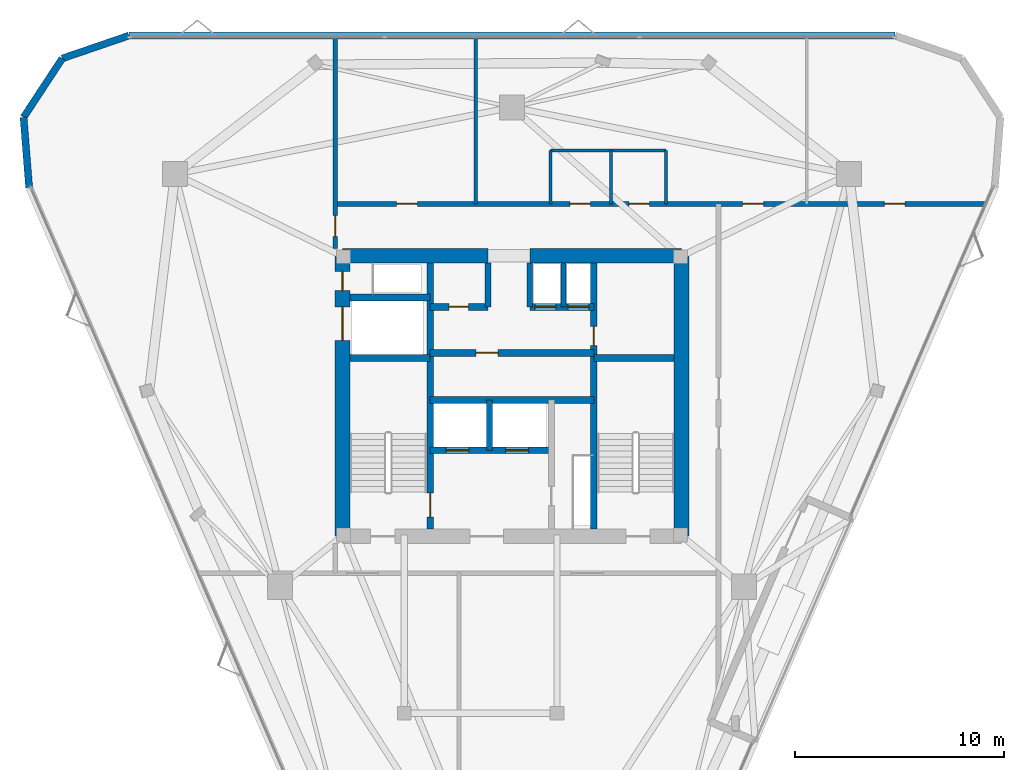
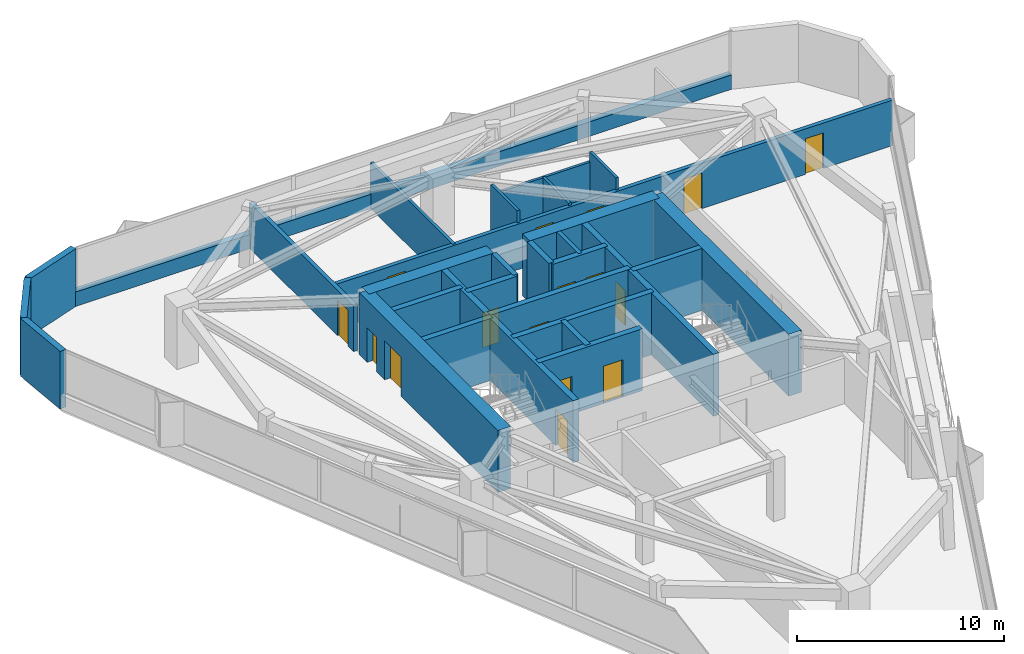
# One storey, part 8 of 10: 29 walls, 16 doors, 16 openings.
"""IFC4 building model written with IfcOpenShell, lengths in metres."""

from ifc_helpers import new_model, si_unit, direction, frame, frame_2d, origin, place, context, subcontext, project, spatial, rectangle, extrude, material, layer, layer_set, type_object, element, fill, save


model = new_model("IFC4")

# Units and contexts
model_context = context("Model", 3, precision=1e-05, world=origin(), true_north=direction((0.0, 1.0)))
body_context = subcontext(model_context, "Body", "Model", "MODEL_VIEW")
ifc_project = project(units=[si_unit("LENGTHUNIT", "METRE"), si_unit("AREAUNIT", "SQUARE_METRE"), si_unit("VOLUMEUNIT", "CUBIC_METRE"), si_unit("PLANEANGLEUNIT", "RADIAN"), si_unit("MASSUNIT", "GRAM", prefix="KILO")], contexts=[model_context])

# Site, building, storey
site_placement = place(None, origin())
site = spatial("IfcSite", under=ifc_project, at=site_placement, CompositionType="ELEMENT")
building_placement = place(site_placement, origin())
building = spatial("IfcBuilding", under=site, at=building_placement, Name="Talyreon Biosciences Tower", CompositionType="ELEMENT")
storey_placement = place(building_placement, frame((0.0, 0.0, 253.5)))
storey = spatial("IfcBuildingStorey", under=building, at=storey_placement, Name="L67", CompositionType="ELEMENT", Elevation=253.5)

# Walls
ifc_material_1 = material(Name="Concrete C50/60", Category="concrete")
ifc_layer_1 = layer(ifc_material_1, 0.219970703125)
ifc_layer_set_1 = layer_set([ifc_layer_1], Name="Concrete C50/60")
wall_type_1 = type_object("IfcWallType", Name="CoreShearWall_220", PredefinedType="SHEAR", material=ifc_layer_set_1)
wall_1_placement = place(storey_placement, frame((68.4599609375, 72.25, 0.0), z_axis=(0.0, 0.0, 1.0), x_axis=(0.0, 1.0, 0.0)))
element("IfcWall", 1, at=wall_1_placement, inside=storey, type_object=wall_type_1, Name="L67 Core Shaft Wall SWPHD", PredefinedType="SHEAR", context=body_context, shape_type="SweptSolid", body=[
    extrude(rectangle(XDim=2.10009765625, YDim=0.219970703125, at=frame_2d((1.050048828125, 0.0))), origin(), (0.0, 0.0, 1.0), 3.64990234375),
])
ifc_layer_2 = layer(ifc_material_1, 0.280029296875)
ifc_layer_set_2 = layer_set([ifc_layer_2], Name="Concrete C50/60")
wall_type_2 = type_object("IfcWallType", Name="CoreShearWall_280", PredefinedType="SHEAR", material=ifc_layer_set_2)
wall_2_placement = place(storey_placement, frame((64.919921875, 65.39990234375, 0.0), z_axis=(0.0, 0.0, 1.0), x_axis=(0.0, 1.0, 0.0)))
element("IfcWall", 2, at=wall_2_placement, inside=storey, type_object=wall_type_2, Name="L67 Core Shaft Wall SWSHD1", PredefinedType="SHEAR", context=body_context, shape_type="SweptSolid", body=[
    extrude(rectangle(XDim=2.400146484375, YDim=0.280029296875, at=frame_2d((1.2001953125, 0.0))), origin(), (0.0, 0.0, 1.0), 3.64990234375),
])
for number, where, z_axis, x_axis, name in (
    (3, (64.85009765625, 72.25, 0.0), (0.0, 0.0, 1.0), (0.0, 1.0, 0.0), "L67 Core Shaft Wall SWTHW"),
    (4, (66.85009765625, 72.25, 0.0), (0.0, 0.0, 1.0), (0.0, 1.0, 0.0), "L67 Core Shaft Wall SWTHE"),
):
    element("IfcWall", number, at=place(storey_placement, frame(where, z_axis=z_axis, x_axis=x_axis)), inside=storey, type_object=wall_type_2, Name=name, PredefinedType="SHEAR", context=body_context, shape_type="SweptSolid", body=[
        extrude(rectangle(XDim=2.10009765625, YDim=0.280029296875, at=frame_2d((1.050048828125, 0.0))), origin(), (0.0, 0.0, 1.0), 3.64990234375),
    ])

# Wall, opening, door
ifc_layer_3 = layer(ifc_material_1, 0.320068359375)
ifc_layer_set_3 = layer_set([ifc_layer_3], Name="Concrete C50/60")
wall_type_3 = type_object("IfcWallType", Name="CoreShearWall_320", PredefinedType="SHEAR", material=ifc_layer_set_3)
wall_3_placement = place(storey_placement, frame((62.090087890625, 61.64990234375, 0.0), z_axis=(0.0, 0.0, 1.0), x_axis=(0.0, 1.0, 0.0)))
wall_3 = element("IfcWall", 5, at=wall_3_placement, inside=storey, type_object=wall_type_3, Name="L67 Core Shaft Wall SW1E", PredefinedType="SHEAR", context=body_context, shape_type="SweptSolid", body=[
    extrude(rectangle(XDim=12.7001953125, YDim=0.320068359375, at=frame_2d((6.35009765625, 0.0))), origin(), (0.0, 0.0, 1.0), 3.64990234375),
])
opening_1_placement = place(wall_3_placement, frame((0.550048828125, 0.0, 0.0)))
opening_1 = element("IfcOpeningElement", 6, at=opening_1_placement, cuts=wall_3, Name="Opening DR-L67-FF-ST1", PredefinedType="OPENING", context=body_context, shape_type="SweptSolid", body=[
    extrude(rectangle(XDim=1.14990234375, YDim=2.14990234375, at=frame_2d((0.574951171875, 1.074951171875))), frame((0.0, 0.169921875, 0.0), z_axis=(0.0, -1.0, 0.0), x_axis=(1.0, 0.0, 0.0)), (0.0, 0.0, 1.0), 0.340087890625),
])
ifc_material_2 = material(Name="Painted steel fire door", Category="steel")
door_type_1 = type_object("IfcDoorType", Name="StairShaftFireDoor_1150x2150", OperationType="NOTDEFINED", PredefinedType="DOOR", material=ifc_material_2)
door_1_placement = place(opening_1_placement, origin())
door_1 = element("IfcDoor", 7, at=door_1_placement, inside=storey, type_object=door_type_1, Name="L67 Core Door DR-L67-FF-ST1", OperationType="SINGLE_SWING_LEFT", OverallHeight=2.14990234375, OverallWidth=1.14990234375, PredefinedType="DOOR", context=body_context, shape_type="SweptSolid", body=[
    extrude(rectangle(XDim=1.14990234375, YDim=2.14990234375, at=frame_2d((0.574951171875, 1.074951171875))), frame((0.0, 0.02490234375, 0.0), z_axis=(0.0, -1.0, 0.0), x_axis=(1.0, 0.0, 0.0)), (0.0, 0.0, 1.0), 0.050048828125),
])
fill(opening_1, door_1)

wall_4_placement = place(storey_placement, frame((69.909912109375, 61.64990234375, 0.0), z_axis=(0.0, 0.0, 1.0), x_axis=(0.0, 1.0, 0.0)))
wall_4 = element("IfcWall", 8, at=wall_4_placement, inside=storey, type_object=wall_type_3, Name="L67 Core Shaft Wall SW2W", PredefinedType="SHEAR", context=body_context, shape_type="SweptSolid", body=[
    extrude(rectangle(XDim=12.7001953125, YDim=0.320068359375, at=frame_2d((6.35009765625, 0.0))), origin(), (0.0, 0.0, 1.0), 3.64990234375),
])
opening_2_placement = place(wall_4_placement, frame((8.75, 0.0, 0.0)))
opening_2 = element("IfcOpeningElement", 9, at=opening_2_placement, cuts=wall_4, Name="Opening DR-L67-CSRV", PredefinedType="OPENING", context=body_context, shape_type="SweptSolid", body=[
    extrude(rectangle(XDim=0.919921875, YDim=2.050048828125, at=frame_2d((0.4599609375, 1.02490234375))), frame((0.0, 0.169921875, 0.0), z_axis=(0.0, -1.0, 0.0), x_axis=(1.0, 0.0, 0.0)), (0.0, 0.0, 1.0), 0.340087890625),
])
ifc_material_3 = material(Name="Painted steel fire-rated riser door", Category="steel")
door_type_2 = type_object("IfcDoorType", Name="RiserPlantAccessDoor_920x2050", OperationType="NOTDEFINED", PredefinedType="DOOR", material=ifc_material_3)
door_2_placement = place(opening_2_placement, origin())
door_2 = element("IfcDoor", 10, at=door_2_placement, inside=storey, type_object=door_type_2, Name="L67 Core Door DR-L67-CSRV", OperationType="SINGLE_SWING_RIGHT", OverallHeight=2.050048828125, OverallWidth=0.919921875, PredefinedType="DOOR", context=body_context, shape_type="SweptSolid", body=[
    extrude(rectangle(XDim=0.919921875, YDim=2.050048828125, at=frame_2d((0.4599609375, 1.02490234375))), frame((0.0, 0.02490234375, 0.0), z_axis=(0.0, -1.0, 0.0), x_axis=(1.0, 0.0, 0.0)), (0.0, 0.0, 1.0), 0.050048828125),
])
fill(opening_2, door_2)

# Walls
for number, where, z_axis, x_axis, name in (
    (11, (58.25, 69.81005859375, 0.0), (0.0, 0.0, 1.0), (1.0, 0.0, 0.0), "L67 Core Shaft Wall SW1N"),
    (12, (69.909912109375, 69.81005859375, 0.0), (0.0, 0.0, 1.0), (1.0, 0.0, 0.0), "L67 Core Shaft Wall SW2N"),
    (13, (58.25, 72.699951171875, 0.0), (0.0, 0.0, 1.0), (1.0, 0.0, 0.0), "L67 Core Shaft Wall SWGLN"),
):
    element("IfcWall", number, at=place(storey_placement, frame(where, z_axis=z_axis, x_axis=x_axis)), inside=storey, type_object=wall_type_3, Name=name, PredefinedType="SHEAR", context=body_context, shape_type="SweptSolid", body=[
        extrude(rectangle(XDim=3.840087890625, YDim=0.320068359375, at=frame_2d((1.919921875, 0.0))), origin(), (0.0, 0.0, 1.0), 3.64990234375),
    ])
wall_5_placement = place(storey_placement, frame((62.090087890625, 67.800048828125, 0.0), z_axis=(0.0, 0.0, 1.0), x_axis=(1.0, 0.0, 0.0)))
element("IfcWall", 14, at=wall_5_placement, inside=storey, type_object=wall_type_3, Name="L67 Core Shaft Wall SWSHM", PredefinedType="SHEAR", context=body_context, shape_type="SweptSolid", body=[
    extrude(rectangle(XDim=7.81982421875, YDim=0.320068359375, at=frame_2d((3.909912109375, 0.0))), origin(), (0.0, 0.0, 1.0), 3.64990234375),
])

# Wall, opening, door
wall_6_placement = place(storey_placement, frame((62.090087890625, 70.050048828125, 0.0), z_axis=(0.0, 0.0, 1.0), x_axis=(1.0, 0.0, 0.0)))
wall_6 = element("IfcWall", 15, at=wall_6_placement, inside=storey, type_object=wall_type_3, Name="L67 Core Shaft Wall SWSPN", PredefinedType="SHEAR", context=body_context, shape_type="SweptSolid", body=[
    extrude(rectangle(XDim=7.81982421875, YDim=0.320068359375, at=frame_2d((3.909912109375, 0.0))), origin(), (0.0, 0.0, 1.0), 3.64990234375),
])
opening_3_placement = place(wall_6_placement, frame((2.199951171875, 0.0, 0.0)))
opening_3 = element("IfcOpeningElement", 16, at=opening_3_placement, cuts=wall_6, Name="Opening DR-L67-PLPMFREE", PredefinedType="OPENING", context=body_context, shape_type="SweptSolid", body=[
    extrude(rectangle(XDim=1.050048828125, YDim=2.14990234375, at=frame_2d((0.52490234375, 1.074951171875))), frame((0.0, 0.169921875, 0.0), z_axis=(0.0, -1.0, 0.0), x_axis=(1.0, 0.0, 0.0)), (0.0, 0.0, 1.0), 0.340087890625),
])
ifc_material_4 = material(Name="Acoustic timber-core laboratory door", Category="wood")
door_type_3 = type_object("IfcDoorType", Name="DryLabSingleDoor_1050x2150", OperationType="NOTDEFINED", PredefinedType="DOOR", material=ifc_material_4)
door_3_placement = place(opening_3_placement, origin())
door_3 = element("IfcDoor", 17, at=door_3_placement, inside=storey, type_object=door_type_3, Name="L67 Core Door DR-L67-PLPMFREE", OperationType="SINGLE_SWING_LEFT", OverallHeight=2.14990234375, OverallWidth=1.050048828125, PredefinedType="DOOR", context=body_context, shape_type="SweptSolid", body=[
    extrude(rectangle(XDim=1.050048828125, YDim=2.14990234375, at=frame_2d((0.52490234375, 1.074951171875))), frame((0.0, 0.02490234375, 0.0), z_axis=(0.0, -1.0, 0.0), x_axis=(1.0, 0.0, 0.0)), (0.0, 0.0, 1.0), 0.050048828125),
])
fill(opening_3, door_3)

wall_7_placement = place(storey_placement, frame((62.090087890625, 72.25, 0.0), z_axis=(0.0, 0.0, 1.0), x_axis=(1.0, 0.0, 0.0)))
wall_7 = element("IfcWall", 18, at=wall_7_placement, inside=storey, type_object=wall_type_3, Name="L67 Core Shaft Wall SWNPW", PredefinedType="SHEAR", context=body_context, shape_type="SweptSolid", body=[
    extrude(rectangle(XDim=2.760009765625, YDim=0.320068359375, at=frame_2d((1.3798828125, 0.0))), origin(), (0.0, 0.0, 1.0), 3.64990234375),
])
opening_4_placement = place(wall_7_placement, frame((0.89990234375, 0.0, 0.0)))
opening_4 = element("IfcOpeningElement", 19, at=opening_4_placement, cuts=wall_7, Name="Opening DR-L67-PM2FREE", PredefinedType="OPENING", context=body_context, shape_type="SweptSolid", body=[
    extrude(rectangle(XDim=0.919921875, YDim=2.050048828125, at=frame_2d((0.4599609375, 1.02490234375))), frame((0.0, 0.169921875, 0.0), z_axis=(0.0, -1.0, 0.0), x_axis=(1.0, 0.0, 0.0)), (0.0, 0.0, 1.0), 0.340087890625),
])
door_4_placement = place(opening_4_placement, origin())
door_4 = element("IfcDoor", 20, at=door_4_placement, inside=storey, type_object=door_type_2, Name="L67 Core Door DR-L67-PM2FREE", OperationType="SINGLE_SWING_RIGHT", OverallHeight=2.050048828125, OverallWidth=0.919921875, PredefinedType="DOOR", context=body_context, shape_type="SweptSolid", body=[
    extrude(rectangle(XDim=0.919921875, YDim=2.050048828125, at=frame_2d((0.4599609375, 1.02490234375))), frame((0.0, 0.02490234375, 0.0), z_axis=(0.0, -1.0, 0.0), x_axis=(1.0, 0.0, 0.0)), (0.0, 0.0, 1.0), 0.050048828125),
])
fill(opening_4, door_4)

# Wall, openings, doors
wall_8_placement = place(storey_placement, frame((66.85009765625, 72.25, 0.0), z_axis=(0.0, 0.0, 1.0), x_axis=(1.0, 0.0, 0.0)))
wall_8 = element("IfcWall", 21, at=wall_8_placement, inside=storey, type_object=wall_type_3, Name="L67 Core Shaft Wall SWNPE", PredefinedType="SHEAR", context=body_context, shape_type="SweptSolid", body=[
    extrude(rectangle(XDim=3.059814453125, YDim=0.320068359375, at=frame_2d((1.52978515625, 0.0))), origin(), (0.0, 0.0, 1.0), 3.64990234375),
])
opening_5_placement = place(wall_8_placement, frame((0.25, 0.0, 0.0)))
opening_5 = element("IfcOpeningElement", 22, at=opening_5_placement, cuts=wall_8, Name="Opening LD-L67-PH1", PredefinedType="OPENING", context=body_context, shape_type="SweptSolid", body=[
    extrude(rectangle(XDim=1.0, YDim=2.199951171875, at=frame_2d((0.5, 1.10009765625))), frame((0.0, 0.169921875, 0.0), z_axis=(0.0, -1.0, 0.0), x_axis=(1.0, 0.0, 0.0)), (0.0, 0.0, 1.0), 0.340087890625),
])
opening_6_placement = place(wall_8_placement, frame((1.820068359375, 0.0, 0.0)))
opening_6 = element("IfcOpeningElement", 23, at=opening_6_placement, cuts=wall_8, Name="Opening LD-L67-PH2", PredefinedType="OPENING", context=body_context, shape_type="SweptSolid", body=[
    extrude(rectangle(XDim=1.0, YDim=2.199951171875, at=frame_2d((0.5, 1.10009765625))), frame((0.0, 0.169921875, 0.0), z_axis=(0.0, -1.0, 0.0), x_axis=(1.0, 0.0, 0.0)), (0.0, 0.0, 1.0), 0.340087890625),
])
ifc_material_5 = material(Name="Brushed stainless-steel lift landing door", Category="steel")
door_type_4 = type_object("IfcDoorType", Name="LiftSlidingLandingDoor_1100x2200", OperationType="SLIDING_TO_LEFT", PredefinedType="DOOR", material=ifc_material_5)
door_5_placement = place(opening_5_placement, origin())
door_5 = element("IfcDoor", 24, at=door_5_placement, inside=storey, type_object=door_type_4, Name="L67 Core Door LD-L67-PH1", OperationType="SLIDING_TO_LEFT", OverallHeight=2.199951171875, OverallWidth=1.0, PredefinedType="DOOR", context=body_context, shape_type="SweptSolid", body=[
    extrude(rectangle(XDim=1.0, YDim=2.199951171875, at=frame_2d((0.5, 1.10009765625))), frame((0.0, 0.02490234375, 0.0), z_axis=(0.0, -1.0, 0.0), x_axis=(1.0, 0.0, 0.0)), (0.0, 0.0, 1.0), 0.050048828125),
])
fill(opening_5, door_5)
door_6_placement = place(opening_6_placement, origin())
door_6 = element("IfcDoor", 25, at=door_6_placement, inside=storey, type_object=door_type_4, Name="L67 Core Door LD-L67-PH2", OperationType="SLIDING_TO_LEFT", OverallHeight=2.199951171875, OverallWidth=1.0, PredefinedType="DOOR", context=body_context, shape_type="SweptSolid", body=[
    extrude(rectangle(XDim=1.0, YDim=2.199951171875, at=frame_2d((0.5, 1.10009765625))), frame((0.0, 0.02490234375, 0.0), z_axis=(0.0, -1.0, 0.0), x_axis=(1.0, 0.0, 0.0)), (0.0, 0.0, 1.0), 0.050048828125),
])
fill(opening_6, door_6)

wall_9_placement = place(storey_placement, frame((62.090087890625, 65.39990234375, 0.0), z_axis=(0.0, 0.0, 1.0), x_axis=(1.0, 0.0, 0.0)))
wall_9 = element("IfcWall", 26, at=wall_9_placement, inside=storey, type_object=wall_type_3, Name="L67 Core Shaft Wall SWFFN", PredefinedType="SHEAR", context=body_context, shape_type="SweptSolid", body=[
    extrude(rectangle(XDim=5.789794921875, YDim=0.320068359375, at=frame_2d((2.89501953125, 0.0))), origin(), (0.0, 0.0, 1.0), 3.64990234375),
])
opening_7_placement = place(wall_9_placement, frame((0.75, 0.0, 0.0)))
opening_7 = element("IfcOpeningElement", 27, at=opening_7_placement, cuts=wall_9, Name="Opening LD-L67-FL1", PredefinedType="OPENING", context=body_context, shape_type="SweptSolid", body=[
    extrude(rectangle(XDim=1.10009765625, YDim=2.199951171875, at=frame_2d((0.550048828125, 1.10009765625))), frame((0.0, 0.169921875, 0.0), z_axis=(0.0, -1.0, 0.0), x_axis=(1.0, 0.0, 0.0)), (0.0, 0.0, 1.0), 0.340087890625),
])
opening_8_placement = place(wall_9_placement, frame((3.60009765625, 0.0, 0.0)))
opening_8 = element("IfcOpeningElement", 28, at=opening_8_placement, cuts=wall_9, Name="Opening LD-L67-FL2", PredefinedType="OPENING", context=body_context, shape_type="SweptSolid", body=[
    extrude(rectangle(XDim=1.10009765625, YDim=2.199951171875, at=frame_2d((0.550048828125, 1.10009765625))), frame((0.0, 0.169921875, 0.0), z_axis=(0.0, -1.0, 0.0), x_axis=(1.0, 0.0, 0.0)), (0.0, 0.0, 1.0), 0.340087890625),
])
door_7_placement = place(opening_7_placement, origin())
door_7 = element("IfcDoor", 29, at=door_7_placement, inside=storey, type_object=door_type_4, Name="L67 Core Door LD-L67-FL1", OperationType="SLIDING_TO_LEFT", OverallHeight=2.199951171875, OverallWidth=1.10009765625, PredefinedType="DOOR", context=body_context, shape_type="SweptSolid", body=[
    extrude(rectangle(XDim=1.10009765625, YDim=2.199951171875, at=frame_2d((0.550048828125, 1.10009765625))), frame((0.0, 0.02490234375, 0.0), z_axis=(0.0, -1.0, 0.0), x_axis=(1.0, 0.0, 0.0)), (0.0, 0.0, 1.0), 0.050048828125),
])
fill(opening_7, door_7)
door_8_placement = place(opening_8_placement, origin())
door_8 = element("IfcDoor", 30, at=door_8_placement, inside=storey, type_object=door_type_4, Name="L67 Core Door LD-L67-FL2", OperationType="SLIDING_TO_LEFT", OverallHeight=2.199951171875, OverallWidth=1.10009765625, PredefinedType="DOOR", context=body_context, shape_type="SweptSolid", body=[
    extrude(rectangle(XDim=1.10009765625, YDim=2.199951171875, at=frame_2d((0.550048828125, 1.10009765625))), frame((0.0, 0.02490234375, 0.0), z_axis=(0.0, -1.0, 0.0), x_axis=(1.0, 0.0, 0.0)), (0.0, 0.0, 1.0), 0.050048828125),
])
fill(opening_8, door_8)

# Walls
ifc_layer_4 = layer(ifc_material_1, 0.699951171875)
ifc_layer_set_4 = layer_set([ifc_layer_4], Name="Concrete C50/60")
wall_type_4 = type_object("IfcWallType", Name="CoreShearWall_700", PredefinedType="SHEAR", material=ifc_layer_set_4)
wall_10_placement = place(storey_placement, frame((74.10009765625, 61.300048828125, 0.0), z_axis=(0.0, 0.0, 1.0), x_axis=(0.0, 1.0, 0.0)))
element("IfcWall", 31, at=wall_10_placement, inside=storey, type_object=wall_type_4, Name="L67 Core Shear Wall E", PredefinedType="SHEAR", context=body_context, shape_type="SweptSolid", body=[
    extrude(rectangle(XDim=13.39990234375, YDim=0.699951171875, at=frame_2d((6.699951171875, 0.0))), origin(), (0.0, 0.0, 1.0), 3.64990234375),
])
wall_11_placement = place(storey_placement, frame((74.10009765625, 74.699951171875, 0.0), z_axis=(0.0, 0.0, 1.0), x_axis=(-1.0, 0.0, 0.0)))
element("IfcWall", 32, at=wall_11_placement, inside=storey, type_object=wall_type_4, Name="L67 Core Shear Wall NE", PredefinedType="SHEAR", context=body_context, shape_type="SweptSolid", body=[
    extrude(rectangle(XDim=7.25, YDim=0.699951171875, at=frame_2d((3.625, 0.0))), origin(), (0.0, 0.0, 1.0), 3.64990234375),
])
wall_12_placement = place(storey_placement, frame((64.85009765625, 74.699951171875, 0.0), z_axis=(0.0, 0.0, 1.0), x_axis=(-1.0, 0.0, 0.0)))
element("IfcWall", 33, at=wall_12_placement, inside=storey, type_object=wall_type_4, Name="L67 Core Shear Wall NW", PredefinedType="SHEAR", context=body_context, shape_type="SweptSolid", body=[
    extrude(rectangle(XDim=6.9501953125, YDim=0.699951171875, at=frame_2d((3.47509765625, 0.0))), origin(), (0.0, 0.0, 1.0), 3.64990234375),
])

# Wall, openings, doors
wall_13_placement = place(storey_placement, frame((57.89990234375, 74.699951171875, 0.0), z_axis=(0.0, 0.0, 1.0), x_axis=(0.0, -1.0, 0.0)))
wall_13 = element("IfcWall", 34, at=wall_13_placement, inside=storey, type_object=wall_type_4, Name="L67 Core Shear Wall W", PredefinedType="SHEAR", context=body_context, shape_type="SweptSolid", body=[
    extrude(rectangle(XDim=13.39990234375, YDim=0.699951171875, at=frame_2d((6.699951171875, 0.0))), origin(), (0.0, 0.0, 1.0), 3.64990234375),
])
opening_9_placement = place(wall_13_placement, frame((0.75, 0.0, 0.0)))
opening_9 = element("IfcOpeningElement", 35, at=opening_9_placement, cuts=wall_13, Name="Opening DR-L67-RSW", PredefinedType="OPENING", context=body_context, shape_type="SweptSolid", body=[
    extrude(rectangle(XDim=0.919921875, YDim=2.050048828125, at=frame_2d((0.4599609375, 1.02490234375))), frame((0.0, 0.35986328125, 0.0), z_axis=(0.0, -1.0, 0.0), x_axis=(1.0, 0.0, 0.0)), (0.0, 0.0, 1.0), 0.719970703125),
])
opening_10_placement = place(wall_13_placement, frame((2.449951171875, 0.0, 0.0)))
opening_10 = element("IfcOpeningElement", 36, at=opening_10_placement, cuts=wall_13, Name="Opening LD-L67-GL1", PredefinedType="OPENING", context=body_context, shape_type="SweptSolid", body=[
    extrude(rectangle(XDim=1.60009765625, YDim=2.300048828125, at=frame_2d((0.800048828125, 1.14990234375))), frame((0.0, 0.35986328125, 0.0), z_axis=(0.0, -1.0, 0.0), x_axis=(1.0, 0.0, 0.0)), (0.0, 0.0, 1.0), 0.719970703125),
])
ifc_material_6 = material(Name="Heavy-duty stainless-steel goods lift door", Category="steel")
door_type_5 = type_object("IfcDoorType", Name="GoodsLiftSlidingDoor_1600x2300", OperationType="DOUBLE_DOOR_SLIDING", PredefinedType="DOOR", material=ifc_material_6)
door_9_placement = place(opening_10_placement, origin())
door_9 = element("IfcDoor", 37, at=door_9_placement, inside=storey, type_object=door_type_5, Name="L67 Core Door LD-L67-GL1", OperationType="DOUBLE_DOOR_SLIDING", OverallHeight=2.300048828125, OverallWidth=1.60009765625, PredefinedType="DOOR", context=body_context, shape_type="SweptSolid", body=[
    extrude(rectangle(XDim=1.60009765625, YDim=2.300048828125, at=frame_2d((0.800048828125, 1.14990234375))), frame((0.0, 0.02490234375, 0.0), z_axis=(0.0, -1.0, 0.0), x_axis=(1.0, 0.0, 0.0)), (0.0, 0.0, 1.0), 0.050048828125),
])
fill(opening_10, door_9)
door_10_placement = place(opening_9_placement, origin())
door_10 = element("IfcDoor", 38, at=door_10_placement, inside=storey, type_object=door_type_2, Name="L67 Core Door DR-L67-RSW", OperationType="SINGLE_SWING_LEFT", OverallHeight=2.050048828125, OverallWidth=0.919921875, PredefinedType="DOOR", context=body_context, shape_type="SweptSolid", body=[
    extrude(rectangle(XDim=0.919921875, YDim=2.050048828125, at=frame_2d((0.4599609375, 1.02490234375))), frame((0.0, 0.02490234375, 0.0), z_axis=(0.0, -1.0, 0.0), x_axis=(1.0, 0.0, 0.0)), (0.0, 0.0, 1.0), 0.050048828125),
])
fill(opening_9, door_10)

ifc_material_7 = material(Name="Gypsum fireboard acoustic stud", Category="gypsum")
ifc_layer_5 = layer(ifc_material_7, 0.219970703125)
ifc_layer_set_5 = layer_set([ifc_layer_5], Name="Gypsum fireboard acoustic stud")
wall_type_5 = type_object("IfcWallType", Name="CorridorRatedPartition_220", PredefinedType="PARTITIONING", material=ifc_layer_set_5)
wall_14_placement = place(storey_placement, frame((57.550048828125, 77.169921875, 0.0), z_axis=(0.0, 0.0, 1.0), x_axis=(1.0, 0.0, 0.0)))
wall_14 = element("IfcWall", 39, at=wall_14_placement, inside=storey, type_object=wall_type_5, Name="L67 Interior Wall IW-L67-COR-N", PredefinedType="PARTITIONING", context=body_context, shape_type="SweptSolid", body=[
    extrude(rectangle(XDim=31.094482421875, YDim=0.219970703125, at=frame_2d((15.54736328125, 0.0))), origin(), (0.0, 0.0, 1.0), 2.679931640625),
])
opening_11_placement = place(wall_14_placement, frame((11.2099609375, 0.0, 0.0)))
opening_11 = element("IfcOpeningElement", 40, at=opening_11_placement, cuts=wall_14, Name="Opening DR-L67-WC", PredefinedType="OPENING", context=body_context, shape_type="SweptSolid", body=[
    extrude(rectangle(XDim=0.97998046875, YDim=2.10009765625, at=frame_2d((0.489990234375, 1.050048828125))), frame((0.0, 0.119873046875, 0.0), z_axis=(0.0, -1.0, 0.0), x_axis=(1.0, 0.0, 0.0)), (0.0, 0.0, 1.0), 0.239990234375),
])
opening_12_placement = place(wall_14_placement, frame((14.034912109375, 0.0, 0.0)))
opening_12 = element("IfcOpeningElement", 41, at=opening_12_placement, cuts=wall_14, Name="Opening DR-L67-AWC", PredefinedType="OPENING", context=body_context, shape_type="SweptSolid", body=[
    extrude(rectangle(XDim=0.97998046875, YDim=2.10009765625, at=frame_2d((0.489990234375, 1.050048828125))), frame((0.0, 0.119873046875, 0.0), z_axis=(0.0, -1.0, 0.0), x_axis=(1.0, 0.0, 0.0)), (0.0, 0.0, 1.0), 0.239990234375),
])
opening_13_placement = place(wall_14_placement, frame((2.930908203125, 0.0, 0.0)))
opening_13 = element("IfcOpeningElement", 42, at=opening_13_placement, cuts=wall_14, Name="Opening DR-L67-N1A", PredefinedType="OPENING", context=body_context, shape_type="SweptSolid", body=[
    extrude(rectangle(XDim=1.0, YDim=2.10009765625, at=frame_2d((0.5, 1.050048828125))), frame((0.0, 0.119873046875, 0.0), z_axis=(0.0, -1.0, 0.0), x_axis=(1.0, 0.0, 0.0)), (0.0, 0.0, 1.0), 0.239990234375),
])
opening_14_placement = place(wall_14_placement, frame((19.47509765625, 0.0, 0.0)))
opening_14 = element("IfcOpeningElement", 43, at=opening_14_placement, cuts=wall_14, Name="Opening DR-L67-N2A", PredefinedType="OPENING", context=body_context, shape_type="SweptSolid", body=[
    extrude(rectangle(XDim=1.0, YDim=2.10009765625, at=frame_2d((0.5, 1.050048828125))), frame((0.0, 0.119873046875, 0.0), z_axis=(0.0, -1.0, 0.0), x_axis=(1.0, 0.0, 0.0)), (0.0, 0.0, 1.0), 0.239990234375),
])
opening_15_placement = place(wall_14_placement, frame((26.239990234375, 0.0, 0.0)))
opening_15 = element("IfcOpeningElement", 44, at=opening_15_placement, cuts=wall_14, Name="Opening DR-L67-N3A", PredefinedType="OPENING", context=body_context, shape_type="SweptSolid", body=[
    extrude(rectangle(XDim=1.0, YDim=2.10009765625, at=frame_2d((0.5, 1.050048828125))), frame((0.0, 0.119873046875, 0.0), z_axis=(0.0, -1.0, 0.0), x_axis=(1.0, 0.0, 0.0)), (0.0, 0.0, 1.0), 0.239990234375),
])
ifc_material_8 = material(Name="Laminate moisture-resistant door", Category="wood")
door_type_6 = type_object("IfcDoorType", Name="AccessibleToiletDoor_980x2100", OperationType="NOTDEFINED", PredefinedType="DOOR", material=ifc_material_8)
door_11_placement = place(opening_11_placement, origin())
door_11 = element("IfcDoor", 45, at=door_11_placement, inside=storey, type_object=door_type_6, Name="L67 Interior Door DR-L67-WC", OperationType="SINGLE_SWING_LEFT", OverallHeight=2.10009765625, OverallWidth=0.97998046875, PredefinedType="DOOR", context=body_context, shape_type="SweptSolid", body=[
    extrude(rectangle(XDim=0.97998046875, YDim=2.10009765625, at=frame_2d((0.489990234375, 1.050048828125))), frame((0.0, 0.02490234375, 0.0), z_axis=(0.0, -1.0, 0.0), x_axis=(1.0, 0.0, 0.0)), (0.0, 0.0, 1.0), 0.050048828125),
])
fill(opening_11, door_11)
door_12_placement = place(opening_12_placement, origin())
door_12 = element("IfcDoor", 46, at=door_12_placement, inside=storey, type_object=door_type_6, Name="L67 Interior Door DR-L67-AWC", OperationType="SINGLE_SWING_RIGHT", OverallHeight=2.10009765625, OverallWidth=0.97998046875, PredefinedType="DOOR", context=body_context, shape_type="SweptSolid", body=[
    extrude(rectangle(XDim=0.97998046875, YDim=2.10009765625, at=frame_2d((0.489990234375, 1.050048828125))), frame((0.0, 0.02490234375, 0.0), z_axis=(0.0, -1.0, 0.0), x_axis=(1.0, 0.0, 0.0)), (0.0, 0.0, 1.0), 0.050048828125),
])
fill(opening_12, door_12)
ifc_material_9 = material(Name="Acoustic oak veneer office door", Category="wood")
door_type_7 = type_object("IfcDoorType", Name="WriteupOfficeDoor_1000x2100", OperationType="NOTDEFINED", PredefinedType="DOOR", material=ifc_material_9)
door_13_placement = place(opening_13_placement, origin())
door_13 = element("IfcDoor", 47, at=door_13_placement, inside=storey, type_object=door_type_7, Name="L67 Interior Door DR-L67-N1A", OperationType="SINGLE_SWING_LEFT", OverallHeight=2.10009765625, OverallWidth=1.0, PredefinedType="DOOR", context=body_context, shape_type="SweptSolid", body=[
    extrude(rectangle(XDim=1.0, YDim=2.10009765625, at=frame_2d((0.5, 1.050048828125))), frame((0.0, 0.02490234375, 0.0), z_axis=(0.0, -1.0, 0.0), x_axis=(1.0, 0.0, 0.0)), (0.0, 0.0, 1.0), 0.050048828125),
])
fill(opening_13, door_13)
door_14_placement = place(opening_14_placement, origin())
door_14 = element("IfcDoor", 48, at=door_14_placement, inside=storey, type_object=door_type_7, Name="L67 Interior Door DR-L67-N2A", OperationType="SINGLE_SWING_RIGHT", OverallHeight=2.10009765625, OverallWidth=1.0, PredefinedType="DOOR", context=body_context, shape_type="SweptSolid", body=[
    extrude(rectangle(XDim=1.0, YDim=2.10009765625, at=frame_2d((0.5, 1.050048828125))), frame((0.0, 0.02490234375, 0.0), z_axis=(0.0, -1.0, 0.0), x_axis=(1.0, 0.0, 0.0)), (0.0, 0.0, 1.0), 0.050048828125),
])
fill(opening_14, door_14)
door_15_placement = place(opening_15_placement, origin())
door_15 = element("IfcDoor", 49, at=door_15_placement, inside=storey, type_object=door_type_7, Name="L67 Interior Door DR-L67-N3A", OperationType="SINGLE_SWING_RIGHT", OverallHeight=2.10009765625, OverallWidth=1.0, PredefinedType="DOOR", context=body_context, shape_type="SweptSolid", body=[
    extrude(rectangle(XDim=1.0, YDim=2.10009765625, at=frame_2d((0.5, 1.050048828125))), frame((0.0, 0.02490234375, 0.0), z_axis=(0.0, -1.0, 0.0), x_axis=(1.0, 0.0, 0.0)), (0.0, 0.0, 1.0), 0.050048828125),
])
fill(opening_15, door_15)

# Wall, opening, door
wall_15_placement = place(storey_placement, frame((57.550048828125, 75.050048828125, 0.0), z_axis=(0.0, 0.0, 1.0), x_axis=(0.0, 1.0, 0.0)))
wall_15 = element("IfcWall", 50, at=wall_15_placement, inside=storey, type_object=wall_type_5, Name="L67 Interior Wall IW-L67-WCAP-N", PredefinedType="PARTITIONING", context=body_context, shape_type="SweptSolid", body=[
    extrude(rectangle(XDim=10.082763671875, YDim=0.219970703125, at=frame_2d((5.04150390625, 0.0))), origin(), (0.0, 0.0, 1.0), 2.679931640625),
])
opening_16_placement = place(wall_15_placement, frame((0.56005859375, 0.0, 0.0)))
opening_16 = element("IfcOpeningElement", 51, at=opening_16_placement, cuts=wall_15, Name="Opening DR-L67-W1A", PredefinedType="OPENING", context=body_context, shape_type="SweptSolid", body=[
    extrude(rectangle(XDim=1.0, YDim=2.10009765625, at=frame_2d((0.5, 1.050048828125))), frame((0.0, 0.119873046875, 0.0), z_axis=(0.0, -1.0, 0.0), x_axis=(1.0, 0.0, 0.0)), (0.0, 0.0, 1.0), 0.239990234375),
])
door_16_placement = place(opening_16_placement, origin())
door_16 = element("IfcDoor", 52, at=door_16_placement, inside=storey, type_object=door_type_7, Name="L67 Interior Door DR-L67-W1A", OperationType="SINGLE_SWING_LEFT", OverallHeight=2.10009765625, OverallWidth=1.0, PredefinedType="DOOR", context=body_context, shape_type="SweptSolid", body=[
    extrude(rectangle(XDim=1.0, YDim=2.10009765625, at=frame_2d((0.5, 1.050048828125))), frame((0.0, 0.02490234375, 0.0), z_axis=(0.0, -1.0, 0.0), x_axis=(1.0, 0.0, 0.0)), (0.0, 0.0, 1.0), 0.050048828125),
])
fill(opening_16, door_16)

# Walls
ifc_material_10 = material(Name="Gypsum acoustic stud partition", Category="gypsum")
ifc_layer_6 = layer(ifc_material_10, 0.159912109375)
ifc_layer_set_6 = layer_set([ifc_layer_6], Name="Gypsum acoustic stud partition")
wall_type_6 = type_object("IfcWallType", Name="LabSeparationPartition_160", PredefinedType="PARTITIONING", material=ifc_layer_set_6)
wall_16_placement = place(storey_placement, frame((64.261962890625, 77.169921875, 0.0), z_axis=(0.0, 0.0, 1.0), x_axis=(0.0, 1.0, 0.0)))
element("IfcWall", 53, at=wall_16_placement, inside=storey, type_object=wall_type_6, Name="L67 Interior Wall IW-L67-NDIV1", PredefinedType="PARTITIONING", context=body_context, shape_type="SweptSolid", body=[
    extrude(rectangle(XDim=7.962890625, YDim=0.159912109375, at=frame_2d((3.9814453125, 0.0))), origin(), (0.0, 0.0, 1.0), 2.679931640625),
])
ifc_material_11 = material(Name="Precast concrete C45/55", Category="concrete")
ifc_layer_7 = layer(ifc_material_11, 0.340087890625)
ifc_layer_set_7 = layer_set([ifc_layer_7], Name="Precast concrete C45/55")
wall_type_7 = type_object("IfcWallType", Name="PrecastConcreteSpandrelWall_340", PredefinedType="STANDARD", material=ifc_layer_set_7)
wall_17_placement = place(storey_placement, frame((42.9248046875, 77.95068359375, 0.0), z_axis=(0.0, 0.0, 1.0), x_axis=(-0.078835134627, 0.996887667467, 0.0)))
element("IfcWall", 54, at=wall_17_placement, inside=storey, type_object=wall_type_7, Name="L67 Rounded-Corner Concrete Pier 00", PredefinedType="STANDARD", context=body_context, shape_type="SweptSolid", body=[
    extrude(rectangle(XDim=3.369384765625, YDim=0.340087890625, at=frame_2d((1.6845703125, 0.0))), origin(), (0.0, 0.0, 1.0), 3.39990234375),
])
wall_18_placement = place(storey_placement, frame((42.6591796875, 81.3095703125, 0.0), z_axis=(0.0, 0.0, 1.0), x_axis=(0.548851092281, 0.835920138831, 0.0)))
element("IfcWall", 55, at=wall_18_placement, inside=storey, type_object=wall_type_7, Name="L67 Rounded-Corner Concrete Pier 01", PredefinedType="STANDARD", context=body_context, shape_type="SweptSolid", body=[
    extrude(rectangle(XDim=3.36962890625, YDim=0.340087890625, at=frame_2d((1.684814453125, 0.0))), origin(), (0.0, 0.0, 1.0), 3.39990234375),
])
wall_19_placement = place(storey_placement, frame((44.508544921875, 84.126220703125, 0.0), z_axis=(0.0, 0.0, 1.0), x_axis=(0.946072263845, 0.323955662989, 0.0)))
element("IfcWall", 56, at=wall_19_placement, inside=storey, type_object=wall_type_7, Name="L67 Rounded-Corner Concrete Pier 02", PredefinedType="STANDARD", context=body_context, shape_type="SweptSolid", body=[
    extrude(rectangle(XDim=3.369384765625, YDim=0.340087890625, at=frame_2d((1.6845703125, 0.0))), origin(), (0.0, 0.0, 1.0), 3.39990234375),
])
wall_20_placement = place(storey_placement, frame((47.6962890625, 85.2177734375, 0.0), z_axis=(0.0, 0.0, 1.0), x_axis=(1.0, 0.0, 0.0)))
element("IfcWall", 57, at=wall_20_placement, inside=storey, type_object=wall_type_7, Name="L67 Expressed Concrete Sill Wall 03", PredefinedType="STANDARD", context=body_context, shape_type="SweptSolid", body=[
    extrude(rectangle(XDim=36.607421875, YDim=0.340087890625, at=frame_2d((18.3037109375, 0.0))), origin(), (0.0, 0.0, 1.0), 0.85009765625),
])
ifc_material_12 = material(Name="Moisture-resistant cement-board stud", Category="gypsum")
ifc_layer_8 = layer(ifc_material_12, 0.14501953125)
ifc_layer_set_8 = layer_set([ifc_layer_8], Name="Moisture-resistant cement-board stud")
wall_type_8 = type_object("IfcWallType", Name="WetRoomPartition_145", PredefinedType="PARTITIONING", material=ifc_layer_set_8)
wall_21_placement = place(storey_placement, frame((67.85009765625, 77.169921875, 0.0), z_axis=(0.0, 0.0, 1.0), x_axis=(0.0, 1.0, 0.0)))
element("IfcWall", 58, at=wall_21_placement, inside=storey, type_object=wall_type_8, Name="L67 Interior Wall IW-L67-WCL", PredefinedType="PARTITIONING", context=body_context, shape_type="SweptSolid", body=[
    extrude(rectangle(XDim=2.550048828125, YDim=0.14501953125, at=frame_2d((1.27490234375, 0.0))), origin(), (0.0, 0.0, 1.0), 3.39990234375),
])
wall_22_placement = place(storey_placement, frame((70.72509765625, 77.169921875, 0.0), z_axis=(0.0, 0.0, 1.0), x_axis=(0.0, 1.0, 0.0)))
element("IfcWall", 59, at=wall_22_placement, inside=storey, type_object=wall_type_8, Name="L67 Interior Wall IW-L67-WCM", PredefinedType="PARTITIONING", context=body_context, shape_type="SweptSolid", body=[
    extrude(rectangle(XDim=2.550048828125, YDim=0.14501953125, at=frame_2d((1.27490234375, 0.0))), origin(), (0.0, 0.0, 1.0), 2.830078125),
])
wall_23_placement = place(storey_placement, frame((73.35009765625, 77.169921875, 0.0), z_axis=(0.0, 0.0, 1.0), x_axis=(0.0, 1.0, 0.0)))
element("IfcWall", 60, at=wall_23_placement, inside=storey, type_object=wall_type_8, Name="L67 Interior Wall IW-L67-WCR", PredefinedType="PARTITIONING", context=body_context, shape_type="SweptSolid", body=[
    extrude(rectangle(XDim=2.550048828125, YDim=0.14501953125, at=frame_2d((1.27490234375, 0.0))), origin(), (0.0, 0.0, 1.0), 3.39990234375),
])
wall_24_placement = place(storey_placement, frame((67.85009765625, 79.719970703125, 0.0), z_axis=(0.0, 0.0, 1.0), x_axis=(1.0, 0.0, 0.0)))
element("IfcWall", 61, at=wall_24_placement, inside=storey, type_object=wall_type_8, Name="L67 Interior Wall IW-L67-WCT", PredefinedType="PARTITIONING", context=body_context, shape_type="SweptSolid", body=[
    extrude(rectangle(XDim=5.5, YDim=0.14501953125, at=frame_2d((2.75, 0.0))), origin(), (0.0, 0.0, 1.0), 2.830078125),
])

save(model, "model.ifc")
